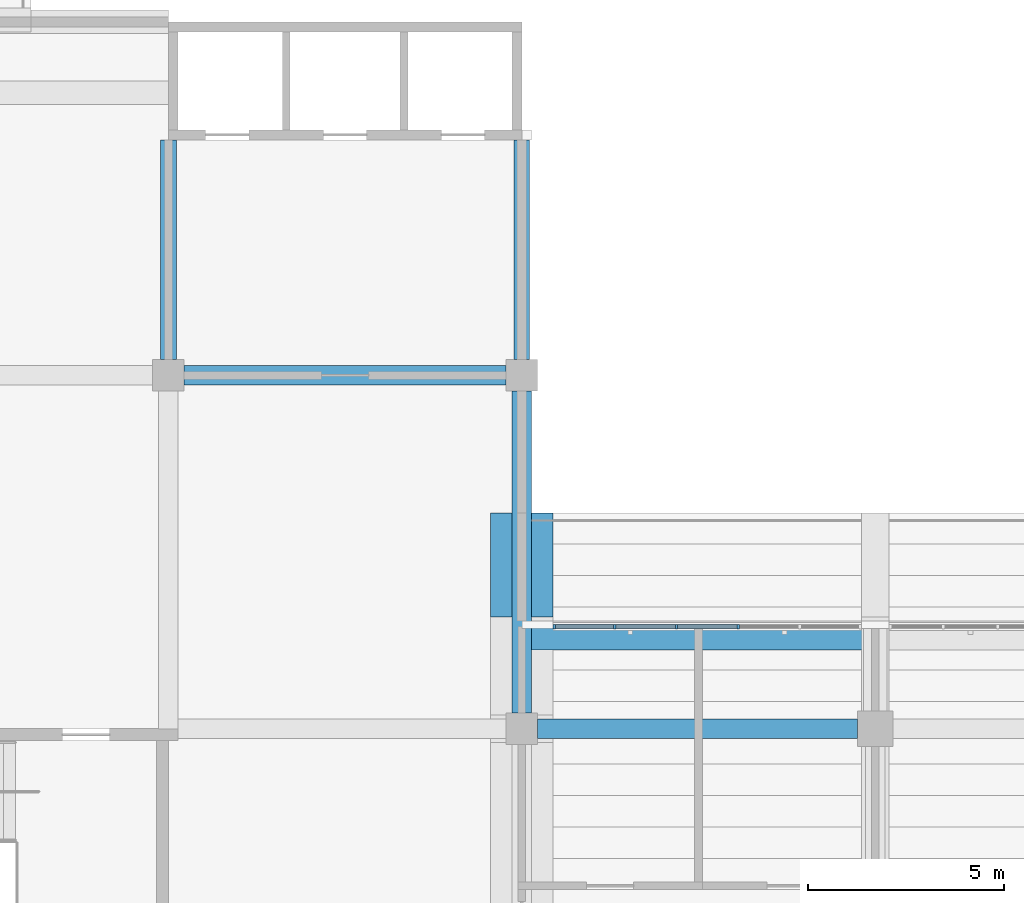
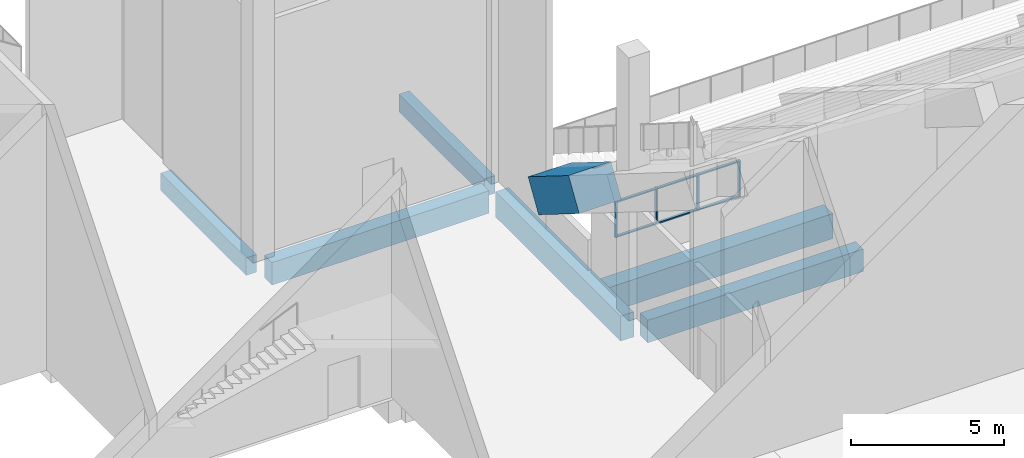
# One storey, part 22 of 182: 10 members, 7 beams, 1 element without a shape of its own.
"""IFC4 building model written with IfcOpenShell, lengths in metres."""

from ifc_helpers import new_model, si_unit, direction, frame, origin, origin_2d, place, context, subcontext, project, spatial, rectangle, extrude, material, material_profile, profile_set, type_object, element, aggregate, save


model = new_model("IFC4")

# Units and contexts
model_context = context("Model", 3, precision=1e-05, world=origin(), true_north=direction((0.0, 1.0)))
body_context = subcontext(model_context, "Body", "Model", "MODEL_VIEW")
ifc_project = project(units=[si_unit("LENGTHUNIT", "METRE"), si_unit("AREAUNIT", "SQUARE_METRE"), si_unit("VOLUMEUNIT", "CUBIC_METRE"), si_unit("PLANEANGLEUNIT", "RADIAN"), si_unit("MASSUNIT", "GRAM", prefix="KILO")], contexts=[model_context])

# Site, building, storey
site_placement = place(None, origin())
site = spatial("IfcSite", under=ifc_project, at=site_placement, CompositionType="ELEMENT")
building_placement = place(site_placement, origin())
building = spatial("IfcBuilding", under=site, at=building_placement, Name="Silverbay Arena", CompositionType="ELEMENT")
storey_placement = place(building_placement, frame((0.0, 0.0, 11.5)))
storey = spatial("IfcBuildingStorey", under=building, at=storey_placement, Name="L02", CompositionType="ELEMENT", Elevation=11.5)

# Curtain wall, members
ifc_material_1 = material(Name="Fire-resisting glass", Category="glass")
curtain_wall_type = type_object("IfcCurtainWallType", Name="Fire-resisting glazed screen EI 120 7850 x 1437", PredefinedType="NOTDEFINED", material=ifc_material_1)
curtain_wall_placement = place(storey_placement, origin())
curtain_wall = element("IfcCurtainWall", 1, at=curtain_wall_placement, inside=storey, type_object=curtain_wall_type, Name="South suite front 1", PredefinedType="NOTDEFINED")
ifc_material_2 = material(Name="Aluminium", Category="aluminium")
ifc_material_profile_1 = material_profile(ifc_material_2, rectangle(XDim=0.1201171875, YDim=0.06005859375, at=origin_2d()), Name="Mullion 60 x 120")
ifc_profile_set_1 = profile_set([ifc_material_profile_1], Name="Aluminium")
member_type_1 = type_object("IfcMemberType", Name="Mullion 60 x 120", PredefinedType="MULLION", material=ifc_profile_set_1)
member_1_placement = place(storey_placement, frame((99.830078125, 47.60009765625, 1.10009765625), z_axis=(0.0, 0.0, 1.0), x_axis=(0.0, 1.0, 0.0)))
member_1 = element("IfcMember", 2, at=member_1_placement, type_object=member_type_1, Name="CW17 mullion 1", PredefinedType="MULLION", context=body_context, shape_type="SweptSolid", body=[
    extrude(rectangle(XDim=0.1201171875, YDim=0.06005859375, at=origin_2d()), origin(), (0.0, 0.0, 1.0), 1.43701171875),
])
member_2_placement = place(storey_placement, frame((101.3701171875, 47.60009765625, 1.10009765625), z_axis=(0.0, 0.0, 1.0), x_axis=(0.0, 1.0, 0.0)))
member_2 = element("IfcMember", 3, at=member_2_placement, type_object=member_type_1, Name="CW17 mullion 2", PredefinedType="MULLION", context=body_context, shape_type="SweptSolid", body=[
    extrude(rectangle(XDim=0.1201171875, YDim=0.06005859375, at=origin_2d()), origin(), (0.0, 0.0, 1.0), 1.43701171875),
])
member_3_placement = place(storey_placement, frame((102.93994140625, 47.60009765625, 1.10009765625), z_axis=(0.0, 0.0, 1.0), x_axis=(0.0, 1.0, 0.0)))
member_3 = element("IfcMember", 4, at=member_3_placement, type_object=member_type_1, Name="CW17 mullion 3", PredefinedType="MULLION", context=body_context, shape_type="SweptSolid", body=[
    extrude(rectangle(XDim=0.1201171875, YDim=0.06005859375, at=origin_2d()), origin(), (0.0, 0.0, 1.0), 1.43701171875),
])
member_4_placement = place(storey_placement, frame((104.510009765625, 47.60009765625, 1.10009765625), z_axis=(0.0, 0.0, 1.0), x_axis=(0.0, 1.0, 0.0)))
member_4 = element("IfcMember", 5, at=member_4_placement, type_object=member_type_1, Name="CW17 mullion 4", PredefinedType="MULLION", context=body_context, shape_type="SweptSolid", body=[
    extrude(rectangle(XDim=0.1201171875, YDim=0.06005859375, at=origin_2d()), origin(), (0.0, 0.0, 1.0), 1.43701171875),
])

# Beams
ifc_material_3 = material(Name="Concrete Grade C45", Category="concrete")
ifc_material_profile_2 = material_profile(ifc_material_3, rectangle(XDim=0.39990234375, YDim=0.699951171875, at=origin_2d()), Name="RC 400x700")
ifc_profile_set_2 = profile_set([ifc_material_profile_2], Name="Concrete Grade C45")
beam_type_1 = type_object("IfcBeamType", Name="RC beam 400x700", PredefinedType="BEAM", material=ifc_profile_set_2)
for number, where, z_axis, x_axis, name in (
    (6, (90.0, 54.39990234375, -0.699951171875), (0.0, 1.0, 0.0), (-1.0, 0.0, 0.0), "Floor beam L02 239"),
    (7, (99.0, 54.39990234375, -0.699951171875), (0.0, 1.0, 0.0), (-1.0, 0.0, 0.0), "Floor beam L02 248"),
):
    element("IfcBeam", number, at=place(storey_placement, frame(where, z_axis=z_axis, x_axis=x_axis)), inside=storey, type_object=beam_type_1, Name=name, PredefinedType="BEAM", context=body_context, shape_type="SweptSolid", body=[
        extrude(rectangle(XDim=0.39990234375, YDim=0.699951171875, at=origin_2d()), origin(), (0.0, 0.0, 1.0), 5.60009765625),
    ])
ifc_material_4 = material(Name="Concrete Grade C45", Category="concrete")
ifc_material_profile_3 = material_profile(ifc_material_4, rectangle(XDim=0.5, YDim=1.0, at=origin_2d()), Name="RC 500x1000")
ifc_profile_set_3 = profile_set([ifc_material_profile_3], Name="Concrete Grade C45")
beam_type_2 = type_object("IfcBeamType", Name="RC beam 500x1000", PredefinedType="BEAM", material=ifc_profile_set_3)
beam_1_placement = place(storey_placement, frame((99.0, 45.39990234375, -0.85009765625), z_axis=(0.0, 1.0, 0.0), x_axis=(-1.0, 0.0, 0.0)))
element("IfcBeam", 8, at=beam_1_placement, inside=storey, type_object=beam_type_2, Name="Floor beam L02 247", PredefinedType="BEAM", context=body_context, shape_type="SweptSolid", body=[
    extrude(rectangle(XDim=0.5, YDim=1.0, at=origin_2d()), origin(), (0.0, 0.0, 1.0), 8.2001953125),
])
ifc_material_5 = material(Name="Concrete Grade C45", Category="concrete")
ifc_material_profile_4 = material_profile(ifc_material_5, rectangle(XDim=0.5, YDim=0.89990234375, at=origin_2d()), Name="RC 500x900")
ifc_profile_set_4 = profile_set([ifc_material_profile_4], Name="Concrete Grade C45")
beam_type_3 = type_object("IfcBeamType", Name="RC beam 500x900", PredefinedType="BEAM", material=ifc_profile_set_4)
beam_2_placement = place(storey_placement, frame((99.39990234375, 45.0, -0.800048828125), z_axis=(1.0, 0.0, 0.0), x_axis=(0.0, 1.0, 0.0)))
element("IfcBeam", 9, at=beam_2_placement, inside=storey, type_object=beam_type_3, Name="Floor beam L02 033", PredefinedType="BEAM", context=body_context, shape_type="SweptSolid", body=[
    extrude(rectangle(XDim=0.5, YDim=0.89990234375, at=origin_2d()), origin(), (0.0, 0.0, 1.0), 8.150146484375),
])
beam_3_placement = place(storey_placement, frame((90.39990234375, 54.0, -0.800048828125), z_axis=(1.0, 0.0, 0.0), x_axis=(0.0, 1.0, 0.0)))
element("IfcBeam", 10, at=beam_3_placement, inside=storey, type_object=beam_type_3, Name="Floor beam L02 051", PredefinedType="BEAM", context=body_context, shape_type="SweptSolid", body=[
    extrude(rectangle(XDim=0.5, YDim=0.89990234375, at=origin_2d()), origin(), (0.0, 0.0, 1.0), 8.2001953125),
])
ifc_material_6 = material(Name="Concrete Grade C45", Category="concrete")
ifc_material_profile_5 = material_profile(ifc_material_6, rectangle(XDim=0.60009765625, YDim=1.0, at=origin_2d()), Name="RC 600x1000")
ifc_profile_set_5 = profile_set([ifc_material_profile_5], Name="Concrete Grade C45")
beam_type_4 = type_object("IfcBeamType", Name="RC beam 600x1000", PredefinedType="BEAM", material=ifc_profile_set_5)
beam_4_placement = place(storey_placement, frame((99.25, 47.300048828125, -0.85009765625), z_axis=(1.0, 0.0, 0.0), x_axis=(0.0, 1.0, 0.0)))
element("IfcBeam", 11, at=beam_4_placement, inside=storey, type_object=beam_type_4, Name="Floor beam L02 365", PredefinedType="BEAM", context=body_context, shape_type="SweptSolid", body=[
    extrude(rectangle(XDim=0.60009765625, YDim=1.0, at=origin_2d()), origin(), (0.0, 0.0, 1.0), 8.449951171875),
])
ifc_material_7 = material(Name="Concrete Grade C45", Category="concrete")
ifc_material_profile_6 = material_profile(ifc_material_7, rectangle(XDim=1.60009765625, YDim=1.300048828125, at=origin_2d()), Name="RC 1600x1300")
ifc_profile_set_6 = profile_set([ifc_material_profile_6], Name="Concrete Grade C45")
beam_type_5 = type_object("IfcBeamType", Name="RC cantilever raker 1600x1300", PredefinedType="BEAM", material=ifc_profile_set_6)
beam_5_placement = place(storey_placement, frame((99.0, 50.155517578125, 1.768798828125), z_axis=(0.0, -0.848002683915, 0.529991932082), x_axis=(1.0, 0.0, 0.0)))
element("IfcBeam", 12, at=beam_5_placement, inside=storey, type_object=beam_type_5, Name="Raker South upper 99 tip", PredefinedType="BEAM", context=body_context, shape_type="SweptSolid", body=[
    extrude(rectangle(XDim=1.60009765625, YDim=1.300048828125, at=origin_2d()), origin(), (0.0, 0.0, 1.0), 3.131591796875),
])

# Member
ifc_material_8 = material(Name="Aluminium", Category="aluminium")
ifc_material_profile_7 = material_profile(ifc_material_8, rectangle(XDim=0.10009765625, YDim=0.050048828125, at=origin_2d()), Name="Transom 50 x 100")
ifc_profile_set_7 = profile_set([ifc_material_profile_7], Name="Aluminium")
member_type_2 = type_object("IfcMemberType", Name="Transom 50 x 100", PredefinedType="USERDEFINED", material=ifc_profile_set_7)
member_5_placement = place(storey_placement, frame((99.860107421875, 47.60009765625, 1.125), z_axis=(1.0, 0.0, 0.0), x_axis=(0.0, 1.0, 0.0)))
member_5 = element("IfcMember", 13, at=member_5_placement, type_object=member_type_2, Name="CW17 transom 1.1", ObjectType="TRANSOM", PredefinedType="USERDEFINED", context=body_context, shape_type="SweptSolid", body=[
    extrude(rectangle(XDim=0.10009765625, YDim=0.050048828125, at=origin_2d()), origin(), (0.0, 0.0, 1.0), 1.47998046875),
])

member_6_placement = place(storey_placement, frame((99.860107421875, 47.60009765625, 2.511962890625), z_axis=(1.0, 0.0, 0.0), x_axis=(0.0, 1.0, 0.0)))
member_6 = element("IfcMember", 14, at=member_6_placement, type_object=member_type_2, Name="CW17 transom 1.2", ObjectType="TRANSOM", PredefinedType="USERDEFINED", context=body_context, shape_type="SweptSolid", body=[
    extrude(rectangle(XDim=0.10009765625, YDim=0.050048828125, at=origin_2d()), origin(), (0.0, 0.0, 1.0), 1.47998046875),
])

member_7_placement = place(storey_placement, frame((101.39990234375, 47.60009765625, 1.125), z_axis=(1.0, 0.0, 0.0), x_axis=(0.0, 1.0, 0.0)))
member_7 = element("IfcMember", 15, at=member_7_placement, type_object=member_type_2, Name="CW17 transom 2.1", ObjectType="TRANSOM", PredefinedType="USERDEFINED", context=body_context, shape_type="SweptSolid", body=[
    extrude(rectangle(XDim=0.10009765625, YDim=0.050048828125, at=origin_2d()), origin(), (0.0, 0.0, 1.0), 1.510009765625),
])

member_8_placement = place(storey_placement, frame((101.39990234375, 47.60009765625, 2.511962890625), z_axis=(1.0, 0.0, 0.0), x_axis=(0.0, 1.0, 0.0)))
member_8 = element("IfcMember", 16, at=member_8_placement, type_object=member_type_2, Name="CW17 transom 2.2", ObjectType="TRANSOM", PredefinedType="USERDEFINED", context=body_context, shape_type="SweptSolid", body=[
    extrude(rectangle(XDim=0.10009765625, YDim=0.050048828125, at=origin_2d()), origin(), (0.0, 0.0, 1.0), 1.510009765625),
])

member_9_placement = place(storey_placement, frame((102.969970703125, 47.60009765625, 1.125), z_axis=(1.0, 0.0, 0.0), x_axis=(0.0, 1.0, 0.0)))
member_9 = element("IfcMember", 17, at=member_9_placement, type_object=member_type_2, Name="CW17 transom 3.1", ObjectType="TRANSOM", PredefinedType="USERDEFINED", context=body_context, shape_type="SweptSolid", body=[
    extrude(rectangle(XDim=0.10009765625, YDim=0.050048828125, at=origin_2d()), origin(), (0.0, 0.0, 1.0), 1.510009765625),
])

member_10_placement = place(storey_placement, frame((102.969970703125, 47.60009765625, 2.511962890625), z_axis=(1.0, 0.0, 0.0), x_axis=(0.0, 1.0, 0.0)))
member_10 = element("IfcMember", 18, at=member_10_placement, type_object=member_type_2, Name="CW17 transom 3.2", ObjectType="TRANSOM", PredefinedType="USERDEFINED", context=body_context, shape_type="SweptSolid", body=[
    extrude(rectangle(XDim=0.10009765625, YDim=0.050048828125, at=origin_2d()), origin(), (0.0, 0.0, 1.0), 1.510009765625),
])

aggregate(curtain_wall, [member_1, member_2, member_3, member_4, member_5, member_6, member_7, member_8, member_9, member_10])

save(model, "model.ifc")
